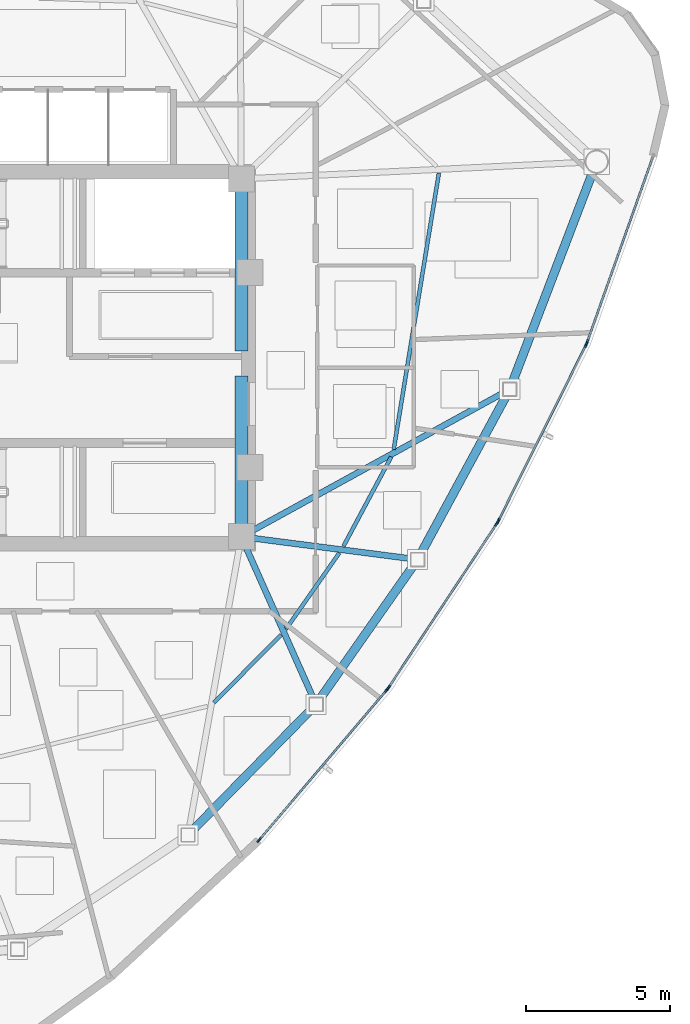
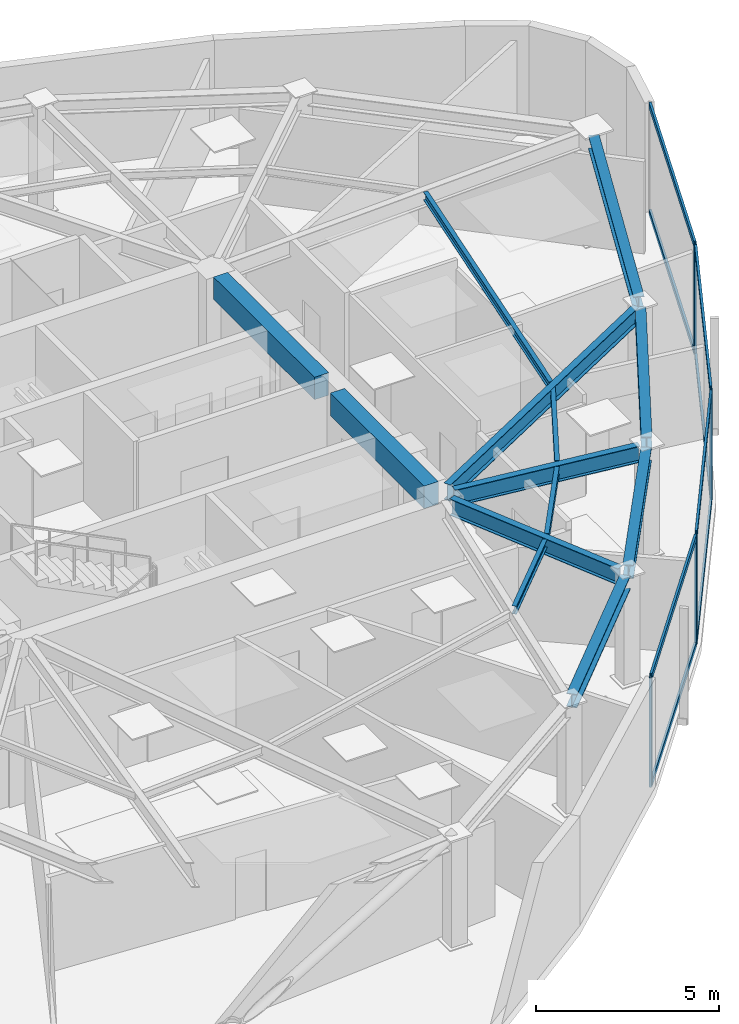
# One storey, part 4 of 13: 15 members, 13 beams, 4 elements without a shape of their own.
"""IFC4 building model written with IfcOpenShell, lengths in metres."""

from ifc_helpers import new_model, si_unit, direction, frame, origin, origin_2d, place, context, subcontext, project, spatial, rectangle, hollow_rectangle, i_section, extrude, source, transform, mapped, material, layer, layer_set, material_profile, profile_set, type_object, type_shapes, element, aggregate, save


model = new_model("IFC4")

# Units and contexts
model_context = context("Model", 3, precision=1e-05, world=origin(), true_north=direction((0.0, 1.0)))
body_context = subcontext(model_context, "Body", "Model", "MODEL_VIEW")
ifc_project = project(units=[si_unit("LENGTHUNIT", "METRE"), si_unit("AREAUNIT", "SQUARE_METRE"), si_unit("VOLUMEUNIT", "CUBIC_METRE"), si_unit("PLANEANGLEUNIT", "RADIAN"), si_unit("MASSUNIT", "GRAM", prefix="KILO")], contexts=[model_context])

# Site, building, storey
site_placement = place(None, origin())
site = spatial("IfcSite", under=ifc_project, at=site_placement, CompositionType="ELEMENT")
building_placement = place(site_placement, origin())
building = spatial("IfcBuilding", under=site, at=building_placement, Name="Tavelor Broadcast Tower", CompositionType="ELEMENT")
storey_placement = place(building_placement, frame((0.0, 0.0, 265.60009765625)))
storey = spatial("IfcBuildingStorey", under=building, at=storey_placement, Name="L63", CompositionType="ELEMENT", Elevation=265.60009765625)

# Beams
ifc_material_1 = material(Name="Concrete C40/50", Category="concrete")
ifc_material_profile_1 = material_profile(ifc_material_1, rectangle(XDim=0.449951171875, YDim=0.75, at=origin_2d()), Name="RC 450x750")
ifc_profile_set_1 = profile_set([ifc_material_profile_1], Name="Concrete C40/50")
beam_type_1 = type_object("IfcBeamType", Name="Basement Core Trim Beam 450x750", PredefinedType="BEAM", material=ifc_profile_set_1)
beam_1_placement = place(storey_placement, frame((56.60009765625, 45.23193359375, 3.27490234375), z_axis=(0.0, 1.0, 0.0), x_axis=(-1.0, 0.0, 0.0)))
element("IfcBeam", 1, at=beam_1_placement, inside=storey, type_object=beam_type_1, Name="L63 Core East-N Tie Girder", PredefinedType="BEAM", context=body_context, shape_type="SweptSolid", body=[
    extrude(rectangle(XDim=0.449951171875, YDim=0.75, at=origin_2d()), origin(), (0.0, 0.0, 1.0), 5.5361328125),
])
beam_2_placement = place(storey_placement, frame((56.60009765625, 39.23193359375, 3.27490234375), z_axis=(0.0, 1.0, 0.0), x_axis=(-1.0, 0.0, 0.0)))
element("IfcBeam", 2, at=beam_2_placement, inside=storey, type_object=beam_type_1, Name="L63 Core East-S Tie Girder", PredefinedType="BEAM", context=body_context, shape_type="SweptSolid", body=[
    extrude(rectangle(XDim=0.449951171875, YDim=0.75, at=origin_2d()), origin(), (0.0, 0.0, 1.0), 5.135986328125),
])
ifc_material_2 = material(Name="Steel S355", Category="steel")
ifc_material_profile_2 = material_profile(ifc_material_2, i_section(OverallWidth=0.135009765625, OverallDepth=0.27001953125, WebThickness=0.006591796875, FlangeThickness=0.01025390625, at=origin_2d()), Name="IPE 270")
ifc_profile_set_2 = profile_set([ifc_material_profile_2], Name="Steel S355")
beam_type_2 = type_object("IfcBeamType", Name="Composite Floor Joist T6 IPE 270", PredefinedType="JOIST", material=ifc_profile_set_2)
beam_3_placement = place(storey_placement, frame((55.65087890625, 33.051025390625, 3.514892578125), z_axis=(0.704295844868, 0.709906587448, 0.0), x_axis=(-0.709906587448, 0.704295844868, 0.0)))
element("IfcBeam", 3, at=beam_3_placement, inside=storey, type_object=beam_type_2, Name="L63 Secondary Composite Floor Joist 09", PredefinedType="JOIST", context=body_context, shape_type="SweptSolid", body=[
    extrude(i_section(OverallWidth=0.135009765625, OverallDepth=0.27001953125, WebThickness=0.006591796875, FlangeThickness=0.01025390625, at=origin_2d()), origin(), (0.0, 0.0, 1.0), 3.306884765625),
])
beam_4_placement = place(storey_placement, frame((58.151611328125, 35.603759765625, 3.514892578125), z_axis=(0.574144058432, 0.818754297801, 0.0), x_axis=(-0.818754297801, 0.574144058432, 0.0)))
element("IfcBeam", 4, at=beam_4_placement, inside=storey, type_object=beam_type_2, Name="L63 Secondary Composite Floor Joist 10", PredefinedType="JOIST", context=body_context, shape_type="SweptSolid", body=[
    extrude(i_section(OverallWidth=0.135009765625, OverallDepth=0.27001953125, WebThickness=0.006591796875, FlangeThickness=0.01025390625, at=origin_2d()), origin(), (0.0, 0.0, 1.0), 3.2197265625),
])
beam_5_placement = place(storey_placement, frame((60.140625, 38.46826171875, 3.514892578125), z_axis=(0.471240390591, 0.882004815336, 0.0), x_axis=(-0.882004815336, 0.471240390591, 0.0)))
element("IfcBeam", 5, at=beam_5_placement, inside=storey, type_object=beam_type_2, Name="L63 Secondary Composite Floor Joist 11", PredefinedType="JOIST", context=body_context, shape_type="SweptSolid", body=[
    extrude(i_section(OverallWidth=0.135009765625, OverallDepth=0.27001953125, WebThickness=0.006591796875, FlangeThickness=0.01025390625, at=origin_2d()), origin(), (0.0, 0.0, 1.0), 3.51611328125),
])
beam_6_placement = place(storey_placement, frame((61.882568359375, 41.820556640625, 3.514892578125), z_axis=(0.161347849281, 0.986897599314, 0.0), x_axis=(-0.986897599314, 0.161347849281, 0.0)))
element("IfcBeam", 6, at=beam_6_placement, inside=storey, type_object=beam_type_2, Name="L63 Secondary Composite Floor Joist 12", PredefinedType="JOIST", context=body_context, shape_type="SweptSolid", body=[
    extrude(i_section(OverallWidth=0.135009765625, OverallDepth=0.27001953125, WebThickness=0.006591796875, FlangeThickness=0.01025390625, at=origin_2d()), origin(), (0.0, 0.0, 1.0), 9.708251953125),
])
ifc_material_profile_3 = material_profile(ifc_material_2, i_section(OverallWidth=0.300048828125, OverallDepth=0.449951171875, WebThickness=0.013916015625, FlangeThickness=0.02587890625, at=origin_2d()), Name="HEB 450")
ifc_profile_set_3 = profile_set([ifc_material_profile_3], Name="Steel S355")
beam_type_3 = type_object("IfcBeamType", Name="Perimeter Spandrel Beam T6 HEB 450", PredefinedType="SPANDREL", material=ifc_profile_set_3)
beam_7_placement = place(storey_placement, frame((54.922119140625, 28.6328125, 3.4248046875), z_axis=(0.700176807099, 0.713969494307, 0.0), x_axis=(-0.713969494307, 0.700176807099, 0.0)))
element("IfcBeam", 7, at=beam_7_placement, inside=storey, type_object=beam_type_3, Name="L63 Framed-Tube Ring Spandrel 09", PredefinedType="SPANDREL", context=body_context, shape_type="SweptSolid", body=[
    extrude(i_section(OverallWidth=0.300048828125, OverallDepth=0.449951171875, WebThickness=0.013916015625, FlangeThickness=0.02587890625, at=origin_2d()), origin(), (0.0, 0.0, 1.0), 5.85888671875),
])
beam_8_placement = place(storey_placement, frame((59.330078125, 33.18359375, 3.4248046875), z_axis=(0.57381017658, 0.81898832791, 0.0), x_axis=(-0.81898832791, 0.57381017658, 0.0)))
element("IfcBeam", 8, at=beam_8_placement, inside=storey, type_object=beam_type_3, Name="L63 Framed-Tube Ring Spandrel 10", PredefinedType="SPANDREL", context=body_context, shape_type="SweptSolid", body=[
    extrude(i_section(OverallWidth=0.300048828125, OverallDepth=0.449951171875, WebThickness=0.013916015625, FlangeThickness=0.02587890625, at=origin_2d()), origin(), (0.0, 0.0, 1.0), 5.652099609375),
])
beam_9_placement = place(storey_placement, frame((62.8251953125, 38.22021484375, 3.4248046875), z_axis=(0.47632985399, 0.879266666147, 0.0), x_axis=(-0.879266666147, 0.47632985399, 0.0)))
element("IfcBeam", 9, at=beam_9_placement, inside=storey, type_object=beam_type_3, Name="L63 Framed-Tube Ring Spandrel 11", PredefinedType="SPANDREL", context=body_context, shape_type="SweptSolid", body=[
    extrude(i_section(OverallWidth=0.300048828125, OverallDepth=0.449951171875, WebThickness=0.013916015625, FlangeThickness=0.02587890625, at=origin_2d()), origin(), (0.0, 0.0, 1.0), 6.23046875),
])
beam_10_placement = place(storey_placement, frame((65.992919921875, 44.133544921875, 3.4248046875), z_axis=(0.356694129759, 0.934221225297, 0.0), x_axis=(-0.934221225297, 0.356694129759, 0.0)))
element("IfcBeam", 10, at=beam_10_placement, inside=storey, type_object=beam_type_3, Name="L63 Framed-Tube Ring Spandrel 12", PredefinedType="SPANDREL", context=body_context, shape_type="SweptSolid", body=[
    extrude(i_section(OverallWidth=0.300048828125, OverallDepth=0.449951171875, WebThickness=0.013916015625, FlangeThickness=0.02587890625, at=origin_2d()), origin(), (0.0, 0.0, 1.0), 7.815185546875),
])
ifc_material_profile_4 = material_profile(ifc_material_2, i_section(OverallWidth=0.2099609375, OverallDepth=0.550048828125, WebThickness=0.010986328125, FlangeThickness=0.01708984375, at=origin_2d()), Name="IPE 550")
ifc_profile_set_4 = profile_set([ifc_material_profile_4], Name="Steel S355")
beam_type_4 = type_object("IfcBeamType", Name="Radial Floor Girder T6 IPE 550", PredefinedType="BEAM", material=ifc_profile_set_4)
beam_11_placement = place(storey_placement, frame((56.77587890625, 38.405517578125, 3.375), z_axis=(0.407288107578, -0.913299730333, 0.0), x_axis=(0.913299730333, 0.407288107578, 0.0)))
element("IfcBeam", 11, at=beam_11_placement, inside=storey, type_object=beam_type_4, Name="L63 Radial Primary Floor Girder 10", PredefinedType="BEAM", context=body_context, shape_type="SweptSolid", body=[
    extrude(i_section(OverallWidth=0.2099609375, OverallDepth=0.550048828125, WebThickness=0.010986328125, FlangeThickness=0.01708984375, at=origin_2d()), origin(), (0.0, 0.0, 1.0), 5.69287109375),
])
beam_12_placement = place(storey_placement, frame((57.0283203125, 38.74462890625, 3.375), z_axis=(0.991724434726, -0.128384755977, 0.0), x_axis=(0.128384755977, 0.991724434726, 0.0)))
element("IfcBeam", 12, at=beam_12_placement, inside=storey, type_object=beam_type_4, Name="L63 Radial Primary Floor Girder 11", PredefinedType="BEAM", context=body_context, shape_type="SweptSolid", body=[
    extrude(i_section(OverallWidth=0.2099609375, OverallDepth=0.550048828125, WebThickness=0.010986328125, FlangeThickness=0.01708984375, at=origin_2d()), origin(), (0.0, 0.0, 1.0), 5.489990234375),
])
beam_13_placement = place(storey_placement, frame((56.978759765625, 39.0078125, 3.375), z_axis=(0.876588297322, 0.481241059136, 0.0), x_axis=(-0.481241059136, 0.876588297322, 0.0)))
element("IfcBeam", 13, at=beam_13_placement, inside=storey, type_object=beam_type_4, Name="L63 Radial Primary Floor Girder 12", PredefinedType="BEAM", context=body_context, shape_type="SweptSolid", body=[
    extrude(i_section(OverallWidth=0.2099609375, OverallDepth=0.550048828125, WebThickness=0.010986328125, FlangeThickness=0.01708984375, at=origin_2d()), origin(), (0.0, 0.0, 1.0), 9.9453125),
])

# Curtain wall, members
ifc_material_3 = material(Name="Architectural Anodized Aluminium", Category="aluminium")
ifc_layer = layer(ifc_material_3, 0.199951171875)
ifc_layer_set = layer_set([ifc_layer], Name="Architectural Anodized Aluminium")
curtain_wall_type = type_object("IfcCurtainWallType", Name="Tower High-Zone Triple-Glazed Curtain Wall CW04", PredefinedType="NOTDEFINED", material=ifc_layer_set)
curtain_wall_1_placement = place(storey_placement, origin())
curtain_wall_1 = element("IfcCurtainWall", 14, at=curtain_wall_1_placement, inside=storey, type_object=curtain_wall_type, Name="L63 Curtain Wall CW04 Run 689", PredefinedType="NOTDEFINED")
ifc_material_profile_5 = material_profile(ifc_material_3, hollow_rectangle(XDim=0.070068359375, YDim=0.199951171875, WallThickness=0.02197265625, at=origin_2d()), Name="RHS 70x200x22")
ifc_profile_set_5 = profile_set([ifc_material_profile_5], Name="Architectural Anodized Aluminium")
member_type_1 = type_object("IfcMemberType", Name="CW04 Extruded Aluminium Mullion 70x200", PredefinedType="MULLION", material=ifc_profile_set_5)
shared_shape_1 = source(origin(), body_context, "Body", "SweptSolid", [
    extrude(hollow_rectangle(XDim=0.070068359375, YDim=0.199951171875, WallThickness=0.02197265625, at=origin_2d()), origin(), (0.0, 0.0, 1.0), 3.64990234375),
])
type_shapes(member_type_1, [shared_shape_1])
member_1_placement = place(storey_placement, frame((57.219970703125, 28.2880859375, 0.0), z_axis=(0.0, 0.0, 1.0), x_axis=(-0.76182238194, 0.647785966486, 0.0)))
member_1 = element("IfcMember", 15, at=member_1_placement, type_object=member_type_1, Name="CW04 mullion 1", PredefinedType="MULLION", context=body_context, shape_type="MappedRepresentation", body=[
    mapped(shared_shape_1, transform((0.0, 0.0, 0.0), scale=1.0)),
])
member_2_placement = place(storey_placement, frame((61.64453125, 33.49169921875, 0.0), z_axis=(0.0, 0.0, 1.0), x_axis=(-0.76182238194, 0.647785966486, 0.0)))
member_2 = element("IfcMember", 16, at=member_2_placement, type_object=member_type_1, Name="CW04 mullion 2", PredefinedType="MULLION", context=body_context, shape_type="MappedRepresentation", body=[
    mapped(shared_shape_1, transform((0.0, 0.0, 0.0), scale=1.0)),
])

curtain_wall_2_placement = place(storey_placement, origin())
curtain_wall_2 = element("IfcCurtainWall", 17, at=curtain_wall_2_placement, inside=storey, type_object=curtain_wall_type, Name="L63 Curtain Wall CW04 Run 690", PredefinedType="NOTDEFINED")
member_3_placement = place(storey_placement, frame((61.70458984375, 33.571533203125, 0.0), z_axis=(0.0, 0.0, 1.0), x_axis=(-0.834606468668, 0.550846659659, 0.0)))
member_3 = element("IfcMember", 18, at=member_3_placement, type_object=member_type_1, Name="CW04 mullion 1", PredefinedType="MULLION", context=body_context, shape_type="MappedRepresentation", body=[
    mapped(shared_shape_1, transform((0.0, 0.0, 0.0), scale=1.0)),
])
member_4_placement = place(storey_placement, frame((65.458740234375, 39.259765625, 0.0), z_axis=(0.0, 0.0, 1.0), x_axis=(-0.834606468668, 0.550846659659, 0.0)))
member_4 = element("IfcMember", 19, at=member_4_placement, type_object=member_type_1, Name="CW04 mullion 2", PredefinedType="MULLION", context=body_context, shape_type="MappedRepresentation", body=[
    mapped(shared_shape_1, transform((0.0, 0.0, 0.0), scale=1.0)),
])

curtain_wall_3_placement = place(storey_placement, origin())
curtain_wall_3 = element("IfcCurtainWall", 20, at=curtain_wall_3_placement, inside=storey, type_object=curtain_wall_type, Name="L63 Curtain Wall CW04 Run 691", PredefinedType="NOTDEFINED")
member_5_placement = place(storey_placement, frame((65.508544921875, 39.34619140625, 0.0), z_axis=(0.0, 0.0, 1.0), x_axis=(-0.895143490952, 0.445778118134, 0.0)))
member_5 = element("IfcMember", 21, at=member_5_placement, type_object=member_type_1, Name="CW04 mullion 1", PredefinedType="MULLION", context=body_context, shape_type="MappedRepresentation", body=[
    mapped(shared_shape_1, transform((0.0, 0.0, 0.0), scale=1.0)),
])
member_6_placement = place(storey_placement, frame((68.546875, 45.447021484375, 0.0), z_axis=(0.0, 0.0, 1.0), x_axis=(-0.895143490952, 0.445778118134, 0.0)))
member_6 = element("IfcMember", 22, at=member_6_placement, type_object=member_type_1, Name="CW04 mullion 2", PredefinedType="MULLION", context=body_context, shape_type="MappedRepresentation", body=[
    mapped(shared_shape_1, transform((0.0, 0.0, 0.0), scale=1.0)),
])

# Curtain wall, member
curtain_wall_4_placement = place(storey_placement, origin())
curtain_wall_4 = element("IfcCurtainWall", 23, at=curtain_wall_4_placement, inside=storey, type_object=curtain_wall_type, Name="L63 Curtain Wall CW04 Run 692", PredefinedType="NOTDEFINED")
member_7_placement = place(storey_placement, frame((68.585693359375, 45.538818359375, 0.0), z_axis=(0.0, 0.0, 1.0), x_axis=(-0.942506233959, 0.33418856795, 0.0)))
member_7 = element("IfcMember", 24, at=member_7_placement, type_object=member_type_1, Name="CW04 mullion 1", PredefinedType="MULLION", context=body_context, shape_type="MappedRepresentation", body=[
    mapped(shared_shape_1, transform((0.0, 0.0, 0.0), scale=1.0)),
])

# Member
ifc_material_profile_6 = material_profile(ifc_material_3, hollow_rectangle(XDim=0.070068359375, YDim=0.199951171875, WallThickness=0.02197265625, at=origin_2d()), Name="RHS 70x200x22")
ifc_profile_set_6 = profile_set([ifc_material_profile_6], Name="Architectural Anodized Aluminium")
member_type_2 = type_object("IfcMemberType", Name="CW04 Extruded Aluminium Transom 70x200", PredefinedType="USERDEFINED", material=ifc_profile_set_6)
shared_shape_2 = source(origin(), body_context, "Body", "SweptSolid", [
    extrude(hollow_rectangle(XDim=0.070068359375, YDim=0.199951171875, WallThickness=0.02197265625, at=origin_2d()), origin(), (0.0, 0.0, 1.0), 6.760498046875),
])
member_8_placement = place(storey_placement, frame((57.242431640625, 28.31494140625, 0.034912109375), z_axis=(0.647800408043, 0.761810101888, 0.0), x_axis=(-0.761810101888, 0.647800408043, 0.0)))
member_8 = element("IfcMember", 25, at=member_8_placement, type_object=member_type_2, Name="CW04 transom 1.1", ObjectType="TRANSOM", PredefinedType="USERDEFINED", context=body_context, shape_type="MappedRepresentation", body=[
    mapped(shared_shape_2, transform((0.0, 0.0, 0.0), scale=1.0)),
])

member_9_placement = place(storey_placement, frame((57.242431640625, 28.31494140625, 3.614990234375), z_axis=(0.647800408043, 0.761810101888, 0.0), x_axis=(-0.761810101888, 0.647800408043, 0.0)))
member_9 = element("IfcMember", 26, at=member_9_placement, type_object=member_type_2, Name="CW04 transom 1.2", ObjectType="TRANSOM", PredefinedType="USERDEFINED", context=body_context, shape_type="MappedRepresentation", body=[
    mapped(shared_shape_2, transform((0.0, 0.0, 0.0), scale=1.0)),
])

aggregate(curtain_wall_1, [member_1, member_2, member_8, member_9])

shared_shape_3 = source(origin(), body_context, "Body", "SweptSolid", [
    extrude(hollow_rectangle(XDim=0.070068359375, YDim=0.199951171875, WallThickness=0.02197265625, at=origin_2d()), origin(), (0.0, 0.0, 1.0), 6.745361328125),
])
member_10_placement = place(storey_placement, frame((61.723876953125, 33.600830078125, 0.034912109375), z_axis=(0.550843721055, 0.834608408162, 0.0), x_axis=(-0.834608408162, 0.550843721055, 0.0)))
member_10 = element("IfcMember", 27, at=member_10_placement, type_object=member_type_2, Name="CW04 transom 1.1", ObjectType="TRANSOM", PredefinedType="USERDEFINED", context=body_context, shape_type="MappedRepresentation", body=[
    mapped(shared_shape_3, transform((0.0, 0.0, 0.0), scale=1.0)),
])

member_11_placement = place(storey_placement, frame((61.723876953125, 33.600830078125, 3.614990234375), z_axis=(0.550843721055, 0.834608408162, 0.0), x_axis=(-0.834608408162, 0.550843721055, 0.0)))
member_11 = element("IfcMember", 28, at=member_11_placement, type_object=member_type_2, Name="CW04 transom 1.2", ObjectType="TRANSOM", PredefinedType="USERDEFINED", context=body_context, shape_type="MappedRepresentation", body=[
    mapped(shared_shape_3, transform((0.0, 0.0, 0.0), scale=1.0)),
])

aggregate(curtain_wall_2, [member_3, member_4, member_10, member_11])

member_12_placement = place(storey_placement, frame((65.524169921875, 39.37744140625, 0.034912109375), z_axis=(0.445794251129, 0.895135456599, 0.0), x_axis=(-0.895135456599, 0.445794251129, 0.0)))
member_12 = element("IfcMember", 29, at=member_12_placement, type_object=member_type_2, Name="CW04 transom 1.1", ObjectType="TRANSOM", PredefinedType="USERDEFINED", context=body_context, shape_type="MappedRepresentation", body=[
    mapped(shared_shape_3, transform((0.0, 0.0, 0.0), scale=1.0)),
])

member_13_placement = place(storey_placement, frame((65.524169921875, 39.37744140625, 3.614990234375), z_axis=(0.445794251129, 0.895135456599, 0.0), x_axis=(-0.895135456599, 0.445794251129, 0.0)))
member_13 = element("IfcMember", 30, at=member_13_placement, type_object=member_type_2, Name="CW04 transom 1.2", ObjectType="TRANSOM", PredefinedType="USERDEFINED", context=body_context, shape_type="MappedRepresentation", body=[
    mapped(shared_shape_3, transform((0.0, 0.0, 0.0), scale=1.0)),
])

aggregate(curtain_wall_3, [member_5, member_6, member_12, member_13])

shared_shape_4 = source(origin(), body_context, "Body", "SweptSolid", [
    extrude(hollow_rectangle(XDim=0.070068359375, YDim=0.199951171875, WallThickness=0.02197265625, at=origin_2d()), origin(), (0.0, 0.0, 1.0), 6.761474609375),
])
type_shapes(member_type_2, [shared_shape_2, shared_shape_3, shared_shape_4])
member_14_placement = place(storey_placement, frame((68.597412109375, 45.57177734375, 0.034912109375), z_axis=(0.33420604325, 0.942500037483, 0.0), x_axis=(-0.942500037483, 0.33420604325, 0.0)))
member_14 = element("IfcMember", 31, at=member_14_placement, type_object=member_type_2, Name="CW04 transom 1.1", ObjectType="TRANSOM", PredefinedType="USERDEFINED", context=body_context, shape_type="MappedRepresentation", body=[
    mapped(shared_shape_4, transform((0.0, 0.0, 0.0), scale=1.0)),
])

member_15_placement = place(storey_placement, frame((68.597412109375, 45.57177734375, 3.614990234375), z_axis=(0.33420604325, 0.942500037483, 0.0), x_axis=(-0.942500037483, 0.33420604325, 0.0)))
member_15 = element("IfcMember", 32, at=member_15_placement, type_object=member_type_2, Name="CW04 transom 1.2", ObjectType="TRANSOM", PredefinedType="USERDEFINED", context=body_context, shape_type="MappedRepresentation", body=[
    mapped(shared_shape_4, transform((0.0, 0.0, 0.0), scale=1.0)),
])

aggregate(curtain_wall_4, [member_7, member_14, member_15])

save(model, "model.ifc")
